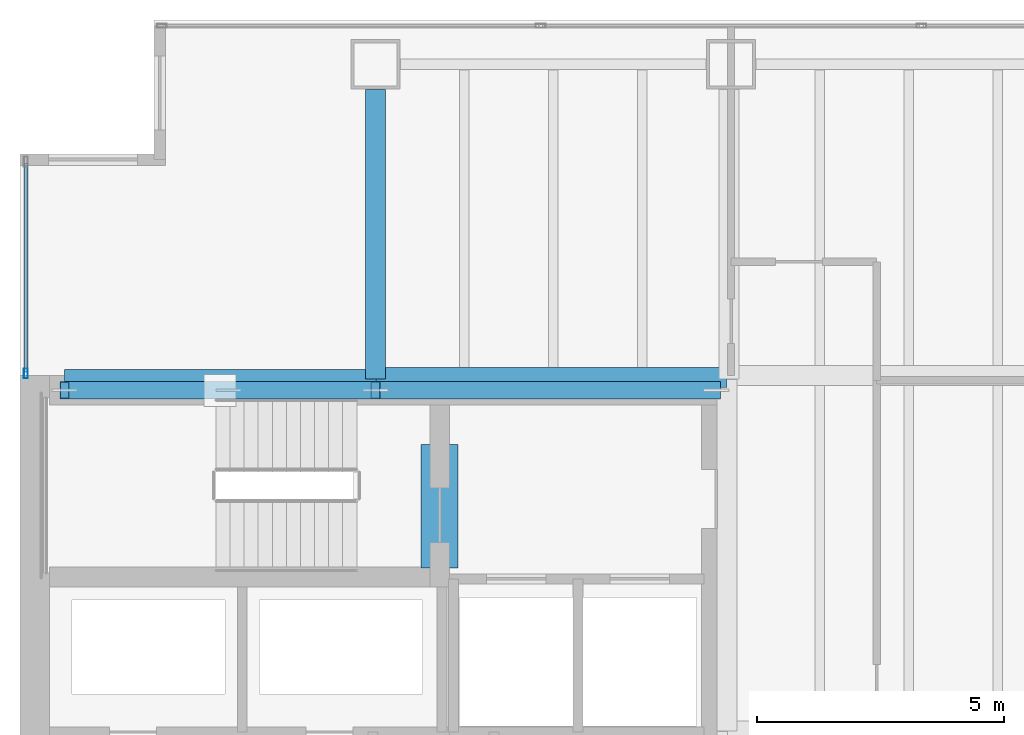
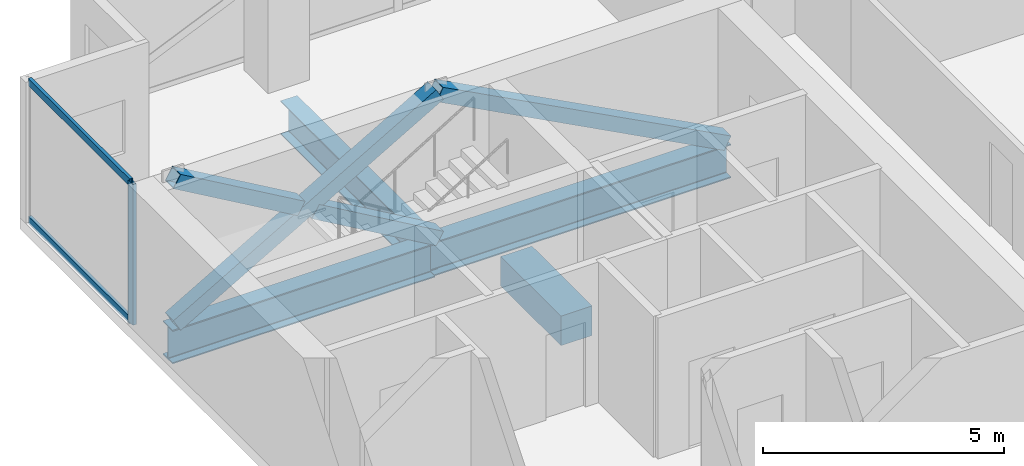
# One storey, part 14 of 23: 7 members, 4 beams, 1 element without a shape of its own.
"""IFC4 building model written with IfcOpenShell, lengths in metres."""

from ifc_helpers import new_model, si_unit, direction, frame, origin, origin_2d, place, context, subcontext, project, spatial, rectangle, hollow_rectangle, i_section, extrude, material, material_profile, profile_set, type_object, element, aggregate, save


model = new_model("IFC4")

# Units and contexts
model_context = context("Model", 3, precision=1e-05, world=origin(), true_north=direction((0.0, 1.0)))
body_context = subcontext(model_context, "Body", "Model", "MODEL_VIEW")
ifc_project = project(units=[si_unit("LENGTHUNIT", "METRE"), si_unit("AREAUNIT", "SQUARE_METRE"), si_unit("VOLUMEUNIT", "CUBIC_METRE"), si_unit("PLANEANGLEUNIT", "RADIAN"), si_unit("MASSUNIT", "GRAM", prefix="KILO")], contexts=[model_context])

# Site, building, storey
site_placement = place(None, origin())
site = spatial("IfcSite", under=ifc_project, at=site_placement, CompositionType="ELEMENT")
building_placement = place(site_placement, origin())
building = spatial("IfcBuilding", under=site, at=building_placement, Name="Cobrela Telecom Tower", CompositionType="ELEMENT")
storey_placement = place(building_placement, frame((0.0, 0.0, 65.800048828125)))
storey = spatial("IfcBuildingStorey", under=building, at=storey_placement, Name="L16", CompositionType="ELEMENT", Elevation=65.800048828125)

# Beams
ifc_material_1 = material(Name="Concrete C40/50", Category="concrete")
ifc_material_profile_1 = material_profile(ifc_material_1, rectangle(XDim=0.75, YDim=0.75, at=origin_2d()), Name="RC 750x750")
ifc_profile_set_1 = profile_set([ifc_material_profile_1], Name="Concrete C40/50")
beam_type_1 = type_object("IfcBeamType", Name="BM-COUP-RC", PredefinedType="LINTEL", material=ifc_profile_set_1)
beam_1_placement = place(storey_placement, frame((8.5, 32.10009765625, -0.630126953125), z_axis=(0.0, 1.0, 0.0), x_axis=(-1.0, 0.0, 0.0)))
element("IfcBeam", 1, at=beam_1_placement, inside=storey, type_object=beam_type_1, Name="L16 Core Coupling Lintel Beam", PredefinedType="LINTEL", context=body_context, shape_type="SweptSolid", body=[
    extrude(rectangle(XDim=0.75, YDim=0.75, at=origin_2d()), origin(), (0.0, 0.0, 1.0), 2.5),
])
ifc_material_2 = material(Name="Steel ASTM A992 Grade 50", Category="steel")
ifc_material_profile_2 = material_profile(ifc_material_2, i_section(OverallWidth=0.39892578125, OverallDepth=0.85595703125, WebThickness=0.018310546875, FlangeThickness=0.029296875, FilletRadius=0.02001953125, at=origin_2d()), Name="W33X201")
ifc_profile_set_2 = profile_set([ifc_material_profile_2], Name="Steel ASTM A992 Grade 50")
beam_type_2 = type_object("IfcBeamType", Name="BM-GIRD-03", PredefinedType="USERDEFINED", material=ifc_profile_set_2)
beam_2_placement = place(storey_placement, frame((0.905029296875, 35.919921875, -0.7080078125), z_axis=(1.0, 0.0, 0.0), x_axis=(0.0, 1.0, 0.0)))
element("IfcBeam", 2, at=beam_2_placement, inside=storey, type_object=beam_type_2, Name="L16 Primary Girder X25", ObjectType="GIRDER", PredefinedType="USERDEFINED", context=body_context, shape_type="SweptSolid", body=[
    extrude(i_section(OverallWidth=0.39892578125, OverallDepth=0.85595703125, WebThickness=0.018310546875, FlangeThickness=0.029296875, FilletRadius=0.02001953125, at=origin_2d()), origin(), (0.0, 0.0, 1.0), 6.2900390625),
])
beam_3_placement = place(storey_placement, frame((7.205078125, 35.9599609375, -0.7080078125), z_axis=(1.0, 0.0, 0.0), x_axis=(0.0, 1.0, 0.0)))
element("IfcBeam", 3, at=beam_3_placement, inside=storey, type_object=beam_type_2, Name="L16 Primary Girder X26", ObjectType="GIRDER", PredefinedType="USERDEFINED", context=body_context, shape_type="SweptSolid", body=[
    extrude(i_section(OverallWidth=0.39892578125, OverallDepth=0.85595703125, WebThickness=0.018310546875, FlangeThickness=0.029296875, FilletRadius=0.02001953125, at=origin_2d()), origin(), (0.0, 0.0, 1.0), 7.10986328125),
])
beam_4_placement = place(storey_placement, frame((7.199951171875, 35.925048828125, -0.7080078125), z_axis=(0.0, 1.0, 0.0), x_axis=(-1.0, 0.0, 0.0)))
element("IfcBeam", 4, at=beam_4_placement, inside=storey, type_object=beam_type_2, Name="L16 Primary Girder Y33", ObjectType="GIRDER", PredefinedType="USERDEFINED", context=body_context, shape_type="SweptSolid", body=[
    extrude(i_section(OverallWidth=0.39892578125, OverallDepth=0.85595703125, WebThickness=0.018310546875, FlangeThickness=0.029296875, FilletRadius=0.02001953125, at=origin_2d()), origin(), (0.0, 0.0, 1.0), 5.869873046875),
])

# Curtain wall, members
ifc_material_3 = material(Name="Anodized Bronze Aluminium 6063-T6", Category="aluminium")
curtain_wall_type = type_object("IfcCurtainWallType", Name="CW-SYS-DATA", PredefinedType="USERDEFINED", material=ifc_material_3)
curtain_wall_placement = place(storey_placement, origin())
curtain_wall = element("IfcCurtainWall", 5, at=curtain_wall_placement, inside=storey, type_object=curtain_wall_type, Name="L16 Unitised Bronze Curtain Wall 04", ObjectType="UNITISED CURTAIN WALL", PredefinedType="USERDEFINED")
ifc_material_profile_3 = material_profile(ifc_material_3, hollow_rectangle(XDim=0.080078125, YDim=0.199951171875, WallThickness=0.00390625, at=origin_2d()), Name="ALU 80x200x4")
ifc_profile_set_3 = profile_set([ifc_material_profile_3], Name="Anodized Bronze Aluminium 6063-T6")
member_type_1 = type_object("IfcMemberType", Name="CW-SYS-DATA-MUL", PredefinedType="MULLION", material=ifc_profile_set_3)
member_1_placement = place(storey_placement, frame((0.1201171875, 36.0400390625, 0.0), z_axis=(0.0, 0.0, 1.0), x_axis=(-1.0, 0.0, 0.0)))
member_1 = element("IfcMember", 6, at=member_1_placement, type_object=member_type_1, Name="CW-DATA mullion 1", PredefinedType="MULLION", context=body_context, shape_type="SweptSolid", body=[
    extrude(hollow_rectangle(XDim=0.080078125, YDim=0.199951171875, WallThickness=0.00390625, at=origin_2d()), origin(), (0.0, 0.0, 1.0), 3.570068359375),
])
ifc_material_profile_4 = material_profile(ifc_material_3, hollow_rectangle(XDim=0.074951171875, YDim=0.179931640625, WallThickness=0.00390625, at=origin_2d()), Name="ALU 75x180x4")
ifc_profile_set_4 = profile_set([ifc_material_profile_4], Name="Anodized Bronze Aluminium 6063-T6")
member_type_2 = type_object("IfcMemberType", Name="CW-SYS-DATA-TRN", PredefinedType="USERDEFINED", material=ifc_profile_set_4)
member_2_placement = place(storey_placement, frame((0.1201171875, 36.080078125, 0.037353515625), z_axis=(0.0, 1.0, 0.0), x_axis=(-1.0, 0.0, 0.0)))
member_2 = element("IfcMember", 7, at=member_2_placement, type_object=member_type_2, Name="CW-DATA transom 1.1", ObjectType="TRANSOM", PredefinedType="USERDEFINED", context=body_context, shape_type="SweptSolid", body=[
    extrude(hollow_rectangle(XDim=0.074951171875, YDim=0.179931640625, WallThickness=0.00390625, at=origin_2d()), origin(), (0.0, 0.0, 1.0), 4.2099609375),
])
member_3_placement = place(storey_placement, frame((0.1201171875, 36.080078125, 3.532470703125), z_axis=(0.0, 1.0, 0.0), x_axis=(-1.0, 0.0, 0.0)))
member_3 = element("IfcMember", 8, at=member_3_placement, type_object=member_type_2, Name="CW-DATA transom 1.2", ObjectType="TRANSOM", PredefinedType="USERDEFINED", context=body_context, shape_type="SweptSolid", body=[
    extrude(hollow_rectangle(XDim=0.074951171875, YDim=0.179931640625, WallThickness=0.00390625, at=origin_2d()), origin(), (0.0, 0.0, 1.0), 4.2099609375),
])
aggregate(curtain_wall, [member_1, member_2, member_3])

# Members
ifc_material_4 = material(Name="Steel ASTM A572 Grade 50", Category="steel")
ifc_material_profile_5 = material_profile(ifc_material_4, hollow_rectangle(XDim=0.35009765625, YDim=0.35009765625, WallThickness=0.01611328125, at=origin_2d()), Name="HSS 350x350x16")
ifc_profile_set_5 = profile_set([ifc_material_profile_5], Name="Steel ASTM A572 Grade 50")
member_type_3 = type_object("IfcMemberType", Name="MBR-EXO-02", PredefinedType="BRACE", material=ifc_profile_set_5)
member_4_placement = place(storey_placement, frame((0.89990234375, 35.699951171875, -0.0400390625), z_axis=(0.865277025542, 0.0, 0.501293994647), x_axis=(0.0, 1.0, 0.0)))
element("IfcMember", 9, at=member_4_placement, inside=storey, type_object=member_type_3, Name="L16 Core Flange Steel X-Brace Continuous A", PredefinedType="BRACE", context=body_context, shape_type="SweptSolid", body=[
    extrude(hollow_rectangle(XDim=0.35009765625, YDim=0.35009765625, WallThickness=0.01611328125, at=origin_2d()), origin(), (0.0, 0.0, 1.0), 7.281005859375),
])
member_5_placement = place(storey_placement, frame((7.199951171875, 35.699951171875, -0.0400390625), z_axis=(-0.865266106373, 0.0, 0.50131284161), x_axis=(0.0, -1.0, 0.0)))
element("IfcMember", 10, at=member_5_placement, inside=storey, type_object=member_type_3, Name="L16 Core Flange Steel X-Brace Split B1", PredefinedType="BRACE", context=body_context, shape_type="SweptSolid", body=[
    extrude(hollow_rectangle(XDim=0.35009765625, YDim=0.35009765625, WallThickness=0.01611328125, at=origin_2d()), origin(), (0.0, 0.0, 1.0), 3.444580078125),
])
member_6_placement = place(storey_placement, frame((3.88037109375, 35.699951171875, 1.88330078125), z_axis=(-0.865296850073, 0.0, 0.501259774223), x_axis=(0.0, -1.0, 0.0)))
element("IfcMember", 11, at=member_6_placement, inside=storey, type_object=member_type_3, Name="L16 Core Flange Steel X-Brace Split B2", PredefinedType="BRACE", context=body_context, shape_type="SweptSolid", body=[
    extrude(hollow_rectangle(XDim=0.35009765625, YDim=0.35009765625, WallThickness=0.01611328125, at=origin_2d()), origin(), (0.0, 0.0, 1.0), 3.4443359375),
])
member_7_placement = place(storey_placement, frame((14.10009765625, 35.699951171875, -0.0400390625), z_axis=(-0.883952947778, 0.0, 0.467575861348), x_axis=(0.0, -1.0, 0.0)))
element("IfcMember", 12, at=member_7_placement, inside=storey, type_object=member_type_3, Name="L16 Core Flange Steel Brace N2", PredefinedType="BRACE", context=body_context, shape_type="SweptSolid", body=[
    extrude(hollow_rectangle(XDim=0.35009765625, YDim=0.35009765625, WallThickness=0.01611328125, at=origin_2d()), origin(), (0.0, 0.0, 1.0), 7.805908203125),
])

save(model, "model.ifc")
